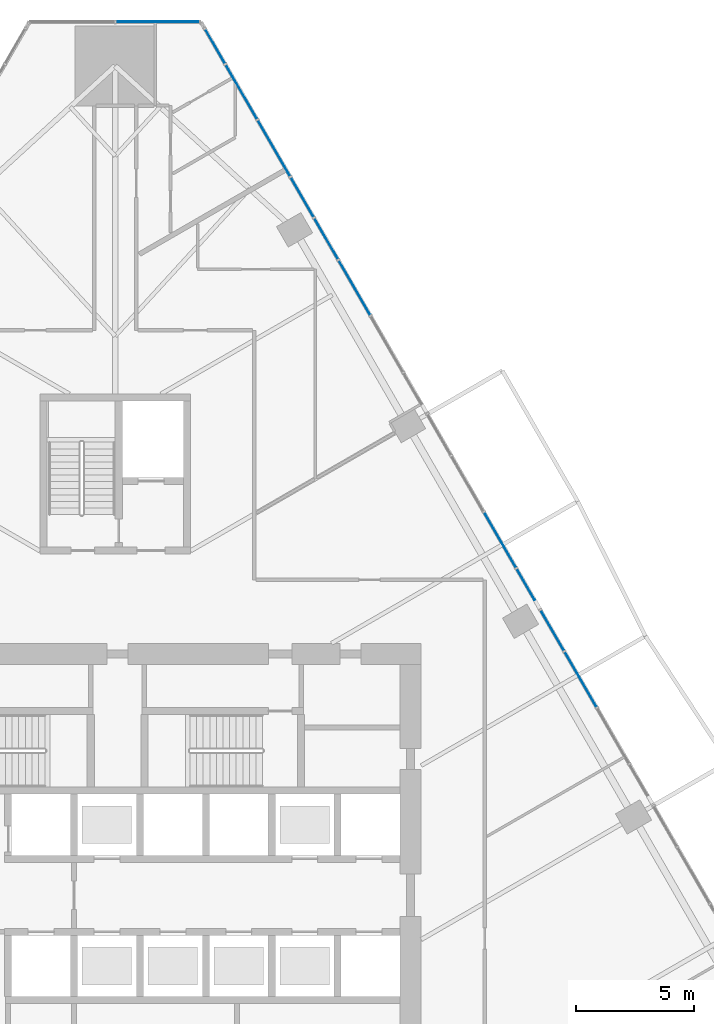
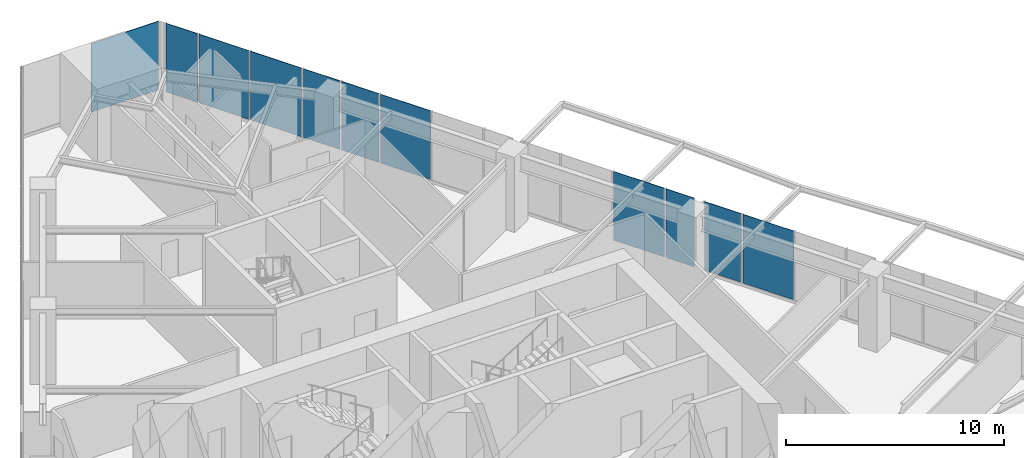
# One storey, part 20 of 29: 11 plates, 2 elements without a shape of their own.
"""IFC4 building model written with IfcOpenShell, lengths in metres."""

from ifc_helpers import new_model, si_unit, direction, frame, origin, place, context, subcontext, project, spatial, polyline, outline, extrude, material, layer, layer_set, type_object, element, aggregate, save


model = new_model("IFC4")

# Units and contexts
model_context = context("Model", 3, precision=1e-05, world=origin(), true_north=direction((0.0, 1.0)))
body_context = subcontext(model_context, "Body", "Model", "MODEL_VIEW")
ifc_project = project(units=[si_unit("LENGTHUNIT", "METRE"), si_unit("AREAUNIT", "SQUARE_METRE"), si_unit("VOLUMEUNIT", "CUBIC_METRE"), si_unit("PLANEANGLEUNIT", "RADIAN"), si_unit("MASSUNIT", "GRAM", prefix="KILO")], contexts=[model_context])

# Site, building, storey
site_placement = place(None, origin())
site = spatial("IfcSite", under=ifc_project, at=site_placement, CompositionType="ELEMENT")
building_placement = place(site_placement, origin())
building = spatial("IfcBuilding", under=site, at=building_placement, Name="Firuza Gate Tower and Library", CompositionType="ELEMENT")
storey_placement = place(building_placement, frame((0.0, 0.0, 44.199951171875)))
storey = spatial("IfcBuildingStorey", under=building, at=storey_placement, Name="L09", CompositionType="ELEMENT", Elevation=44.199951171875)

# Curtain wall, plate
ifc_material_1 = material(Name="Aluminium 6063-T6", Category="aluminium")
ifc_layer_1 = layer(ifc_material_1, 0.14990234375)
ifc_layer_set_1 = layer_set([ifc_layer_1], Name="Corner curtain wall, chamfers")
curtain_wall_type_1 = type_object("IfcCurtainWallType", Name="Corner curtain wall, chamfers", PredefinedType="NOTDEFINED", material=ifc_layer_set_1)
placement = place(storey_placement, origin())
curtain_wall_1 = element("IfcCurtainWall", 1, at=placement, inside=storey, type_object=curtain_wall_type_1, Name="CW4 L09 N corner", PredefinedType="NOTDEFINED")
ifc_material_2 = material(Name="Fritted glass", Category="glass")
ifc_layer_2 = layer(ifc_material_2, 0.030029296875)
ifc_layer_set_2 = layer_set([ifc_layer_2], Name="Fritted glass unit, corners")
plate_type_1 = type_object("IfcPlateType", Name="Fritted glass unit, corners", PredefinedType="CURTAIN_PANEL", material=ifc_layer_set_2)
plate_1_placement = place(storey_placement, frame((78.603271484375, 110.423828125, 0.150146484375), z_axis=(0.0, 1.0, 0.0), x_axis=(-1.0, 0.0, 0.0)))
plate_1 = element("IfcPlate", 2, at=plate_1_placement, type_object=plate_type_1, Name="Glass unit", PredefinedType="CURTAIN_PANEL", context=body_context, shape_type="SweptSolid", body=[
    extrude(outline(polyline([(0.0, 0.0), (3.563232421875, 0.0), (3.563232421875, 3.849853515625), (0.0, 3.849853515625), (0.0, 0.0)])), origin(), (0.0, 0.0, -1.0), 0.030029296875),
])
aggregate(curtain_wall_1, [plate_1])

# Curtain wall, plates
ifc_material_3 = material(Name="Aluminium 6063-T6", Category="aluminium")
ifc_layer_3 = layer(ifc_material_3, 0.14990234375)
ifc_layer_set_3 = layer_set([ifc_layer_3], Name="Unitised curtain wall, offices")
curtain_wall_type_2 = type_object("IfcCurtainWallType", Name="Unitised curtain wall, offices", PredefinedType="NOTDEFINED", material=ifc_layer_set_3)
curtain_wall_2 = element("IfcCurtainWall", 3, at=placement, inside=storey, type_object=curtain_wall_type_2, Name="CW1 L09 E face", PredefinedType="NOTDEFINED")
ifc_material_4 = material(Name="Fritted glass", Category="glass")
ifc_layer_4 = layer(ifc_material_4, 0.030029296875)
ifc_layer_set_4 = layer_set([ifc_layer_4], Name="Fritted glass unit, offices")
plate_type_2 = type_object("IfcPlateType", Name="Fritted glass unit, offices", PredefinedType="CURTAIN_PANEL", material=ifc_layer_set_4)
plate_2_placement = place(storey_placement, frame((94.07666015625, 83.707275390625, 0.150146484375), z_axis=(0.866031898715, 0.499988750281, 0.0), x_axis=(-0.499988750281, 0.866031898715, 0.0)))
plate_2 = element("IfcPlate", 4, at=plate_2_placement, type_object=plate_type_2, Name="Glass unit", PredefinedType="CURTAIN_PANEL", context=body_context, shape_type="SweptSolid", body=[
    extrude(outline(polyline([(0.0, 0.0), (1.9575635753309661, 0.0), (1.9575635753309661, 3.849853515625), (0.0, 3.849853515625), (0.0, 0.0)])), origin(), (0.0, 0.0, -1.0), 0.030029296875),
])
plate_3_placement = place(storey_placement, frame((92.83447265625, 85.859130859375, 0.150146484375), z_axis=(0.865986401109, 0.500067548531, 0.0), x_axis=(-0.500067548531, 0.865986401109, 0.0)))
plate_3 = element("IfcPlate", 5, at=plate_3_placement, type_object=plate_type_2, Name="Glass unit", PredefinedType="CURTAIN_PANEL", context=body_context, shape_type="SweptSolid", body=[
    extrude(outline(polyline([(0.0, 0.0), (1.5105381182369177, 0.0), (1.5105381182369177, 3.849853515625), (0.0, 3.849853515625), (0.0, 0.0)])), origin(), (0.0, 0.0, -1.0), 0.030029296875),
])
plate_4_placement = place(storey_placement, frame((84.476806640625, 100.3349609375, 0.150146484375), z_axis=(0.866003444533, 0.50003803261, 0.0), x_axis=(-0.50003803261, 0.866003444533, 0.0)))
plate_4 = element("IfcPlate", 6, at=plate_4_placement, type_object=plate_type_2, Name="Glass unit", PredefinedType="CURTAIN_PANEL", context=body_context, shape_type="SweptSolid", body=[
    extrude(outline(polyline([(0.0, 0.0), (1.9866652901162536, 0.0), (1.9866652901162536, 3.849853515625), (0.0, 3.849853515625), (0.0, 0.0)])), origin(), (0.0, 0.0, -1.0), 0.030029296875),
])
plate_5_placement = place(storey_placement, frame((83.443603515625, 102.124755859375, 0.150146484375), z_axis=(0.866006392733, 0.500032926662, 0.0), x_axis=(-0.500032926662, 0.866006392733, 0.0)))
plate_5 = element("IfcPlate", 7, at=plate_5_placement, type_object=plate_type_2, Name="Glass unit", PredefinedType="CURTAIN_PANEL", context=body_context, shape_type="SweptSolid", body=[
    extrude(outline(polyline([(0.0, 0.0), (1.9285839338376538, 0.0), (1.9285839338376538, 3.849853515625), (0.0, 3.849853515625), (0.0, 0.0)])), origin(), (0.0, 0.0, -1.0), 0.030029296875),
])
plate_6_placement = place(storey_placement, frame((79.6767578125, 108.64892578125, 0.150146484375), z_axis=(0.866002968352, 0.500038857296, 0.0), x_axis=(-0.500038857296, 0.866002968352, 0.0)))
plate_6 = element("IfcPlate", 8, at=plate_6_placement, type_object=plate_type_2, Name="Glass unit", PredefinedType="CURTAIN_PANEL", context=body_context, shape_type="SweptSolid", body=[
    extrude(outline(polyline([(0.0, 0.0), (1.6697921077880786, 0.0), (1.6697921077880786, 3.849853515625), (0.0, 3.849853515625), (0.0, 0.0)])), origin(), (0.0, 0.0, -1.0), 0.030029296875),
])
ifc_material_5 = material(Name="Glazed ceramic tile")
ifc_layer_5 = layer(ifc_material_5, 0.030029296875)
ifc_layer_set_5 = layer_set([ifc_layer_5], Name="Opaque ceramic panel, offices")
plate_type_3 = type_object("IfcPlateType", Name="Opaque ceramic panel, offices", PredefinedType="CURTAIN_PANEL", material=ifc_layer_set_5)
plate_7_placement = place(storey_placement, frame((95.461669921875, 81.308837890625, 0.150146484375), z_axis=(0.865983011555, 0.500073418308, 0.0), x_axis=(-0.500073418308, 0.865983011555, 0.0)))
plate_7 = element("IfcPlate", 9, at=plate_7_placement, type_object=plate_type_3, Name="Opaque ceramic panel", PredefinedType="CURTAIN_PANEL", context=body_context, shape_type="SweptSolid", body=[
    extrude(outline(polyline([(0.0, 0.0), (2.689546482346884, 0.0), (2.689546482346884, 3.849853515625), (0.0, 3.849853515625), (0.0, 0.0)])), origin(), (0.0, 0.0, -1.0), 0.030029296875),
])
plate_8_placement = place(storey_placement, frame((92.0390625, 87.236572265625, 0.150146484375), z_axis=(0.866045013077, 0.499966034171, 0.0), x_axis=(-0.499966034171, 0.866045013077, 0.0)))
plate_8 = element("IfcPlate", 10, at=plate_8_placement, type_object=plate_type_3, Name="Opaque ceramic panel", PredefinedType="CURTAIN_PANEL", context=body_context, shape_type="SweptSolid", body=[
    extrude(outline(polyline([(0.0, 0.0), (2.689635836420977, 0.0), (2.689635836420977, 3.849853515625001), (0.0, 3.849853515625001), (0.0, 0.0)])), origin(), (0.0, 0.0, -1.0), 0.030029296875),
])
plate_9_placement = place(storey_placement, frame((85.84716796875, 97.96142578125, 0.150146484375), z_axis=(0.866026668906, 0.499997808738, 0.0), x_axis=(-0.499997808738, 0.866026668906, 0.0)))
plate_9 = element("IfcPlate", 11, at=plate_9_placement, type_object=plate_type_3, Name="Opaque ceramic panel", PredefinedType="CURTAIN_PANEL", context=body_context, shape_type="SweptSolid", body=[
    extrude(outline(polyline([(0.0, 0.0), (2.6606561916387736, 0.0), (2.6606561916387736, 3.849853515625), (0.0, 3.849853515625), (0.0, 0.0)])), origin(), (0.0, 0.0, -1.0), 0.030029296875),
])
plate_10_placement = place(storey_placement, frame((82.439208984375, 103.8642578125, 0.150146484375), z_axis=(0.866001628925, 0.500041177004, 0.0), x_axis=(-0.500041177004, 0.866001628925, 0.0)))
plate_10 = element("IfcPlate", 12, at=plate_10_placement, type_object=plate_type_3, Name="Opaque ceramic panel", PredefinedType="CURTAIN_PANEL", context=body_context, shape_type="SweptSolid", body=[
    extrude(outline(polyline([(0.0, 0.0), (2.718526118476656, 0.0), (2.718526118476656, 3.849853515625), (0.0, 3.849853515625), (0.0, 0.0)])), origin(), (0.0, 0.0, -1.0), 0.030029296875),
])
plate_11_placement = place(storey_placement, frame((81.039794921875, 106.287841796875, 0.150146484375), z_axis=(0.866048852527, 0.499959383386, 0.0), x_axis=(-0.499959383386, 0.866048852527, 0.0)))
plate_11 = element("IfcPlate", 13, at=plate_11_placement, type_object=plate_type_3, Name="Opaque ceramic panel", PredefinedType="CURTAIN_PANEL", context=body_context, shape_type="SweptSolid", body=[
    extrude(outline(polyline([(0.0, 0.0), (2.646211054014861, 0.0), (2.646211054014861, 3.849853515625), (0.0, 3.849853515625), (0.0, 0.0)])), origin(), (0.0, 0.0, -1.0), 0.030029296875),
])
aggregate(curtain_wall_2, [plate_7, plate_2, plate_3, plate_8, plate_9, plate_4, plate_5, plate_10, plate_11, plate_6])

save(model, "model.ifc")
